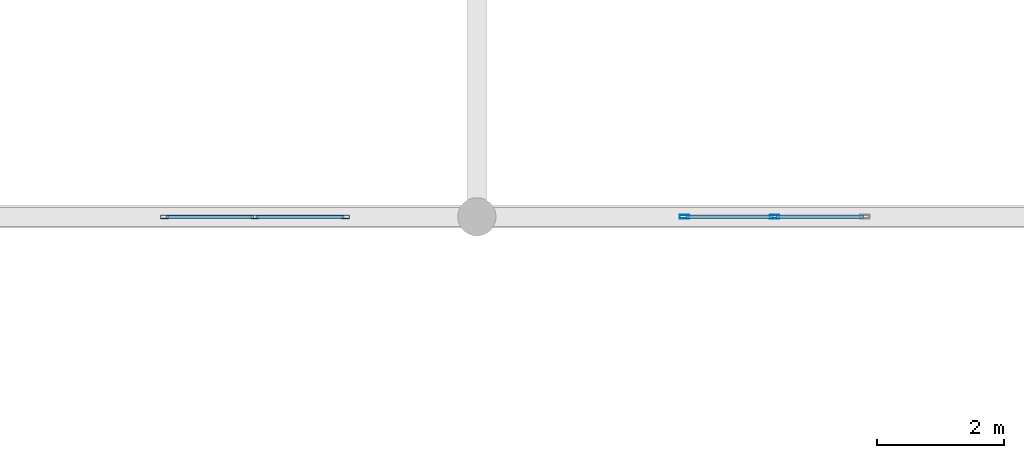
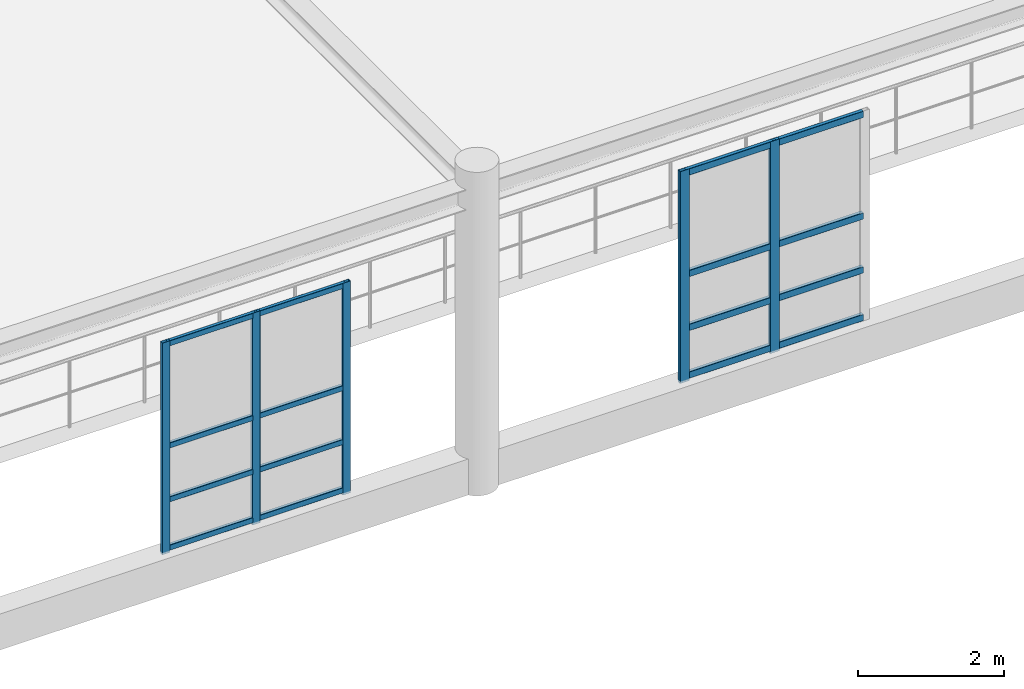
# One storey, part 74 of 197: 21 members, 2 elements without a shape of their own.
"""IFC4 building model written with IfcOpenShell, lengths in metres."""

from ifc_helpers import new_model, si_unit, derived_unit, direction, frame, origin, origin_2d, place, context, subcontext, project, spatial, hollow_rectangle, extrude, material, layer, layer_set, material_profile, profile_set, type_object, element, aggregate, save


model = new_model("IFC4")

# Units and contexts
model_context = context("Model", 3, precision=1e-05, world=origin(), true_north=direction((0.0, 1.0)))
body_context = subcontext(model_context, "Body", "Model", "MODEL_VIEW")
ifc_project = project(units=[si_unit("LENGTHUNIT", "METRE"), si_unit("AREAUNIT", "SQUARE_METRE"), si_unit("VOLUMEUNIT", "CUBIC_METRE"), si_unit("PLANEANGLEUNIT", "RADIAN"), si_unit("MASSUNIT", "GRAM", prefix="KILO"), derived_unit("THERMALTRANSMITTANCEUNIT", [(si_unit("POWERUNIT", "WATT"), 1), (si_unit("LENGTHUNIT", "METRE"), -2), (si_unit("THERMODYNAMICTEMPERATUREUNIT", "KELVIN"), -1)])], contexts=[model_context])

# Site, building, storey
site_placement = place(None, origin())
site = spatial("IfcSite", under=ifc_project, at=site_placement, CompositionType="ELEMENT")
building_placement = place(site_placement, origin())
building = spatial("IfcBuilding", under=site, at=building_placement, Name="Almenara Railside Exhibition Hall", CompositionType="ELEMENT")
storey_placement = place(building_placement, frame((0.0, 0.0, 5.39990234375)))
storey = spatial("IfcBuildingStorey", under=building, at=storey_placement, Name="L01", CompositionType="ELEMENT", Elevation=5.39990234375)

# Curtain wall, members
ifc_material_1 = material(Name="Bronze-anodised aluminium and low-E double glazing", Category="aluminium")
ifc_layer = layer(ifc_material_1, 0.179931640625, Name="Bronze-anodised aluminium and low-E double glazing")
ifc_layer_set = layer_set([ifc_layer], Name="Bronze-anodised aluminium and low-E double glazing")
curtain_wall_type = type_object("IfcCurtainWallType", Name="Courtyard East Galeria Curtain Wall 2900x3500", PredefinedType="NOTDEFINED", material=ifc_layer_set)
curtain_wall_1_placement = place(storey_placement, origin())
curtain_wall_1 = element("IfcCurtainWall", 1, at=curtain_wall_1_placement, inside=storey, type_object=curtain_wall_type, Name="Curtain wall CW-CY2-154", PredefinedType="NOTDEFINED")
ifc_material_2 = material(Name="Bronze-anodised aluminium", Category="aluminium")
ifc_material_profile_1 = material_profile(ifc_material_2, hollow_rectangle(XDim=0.054931640625, YDim=0.125, WallThickness=0.0029296875, InnerFilletRadius=0.0029296875, OuterFilletRadius=0.006103515625, at=origin_2d()), Name="ALU-MUL 55x125x3")
ifc_profile_set_1 = profile_set([ifc_material_profile_1], Name="Bronze-anodised aluminium")
member_type_1 = type_object("IfcMemberType", Name="Curtain Wall Mullion 55x125x3", PredefinedType="MULLION", material=ifc_profile_set_1)
member_1_placement = place(storey_placement, frame((99.927001953125, 90.0, 0.565185546875), z_axis=(0.0, 0.0, 1.0), x_axis=(0.0, -1.0, 0.0)))
member_1 = element("IfcMember", 2, at=member_1_placement, type_object=member_type_1, Name="CW-CY2-154 mullion 1", PredefinedType="MULLION", context=body_context, shape_type="SweptSolid", body=[
    extrude(hollow_rectangle(XDim=0.054931640625, YDim=0.125, WallThickness=0.0029296875, InnerFilletRadius=0.0029296875, OuterFilletRadius=0.006103515625, at=origin_2d()), origin(), (0.0, 0.0, 1.0), 3.534912109375),
])
member_2_placement = place(storey_placement, frame((98.50439453125, 90.0, 0.565185546875), z_axis=(0.0, 0.0, 1.0), x_axis=(0.0, -1.0, 0.0)))
member_2 = element("IfcMember", 3, at=member_2_placement, type_object=member_type_1, Name="CW-CY2-154 mullion 2", PredefinedType="MULLION", context=body_context, shape_type="SweptSolid", body=[
    extrude(hollow_rectangle(XDim=0.054931640625, YDim=0.125, WallThickness=0.0029296875, InnerFilletRadius=0.0029296875, OuterFilletRadius=0.006103515625, at=origin_2d()), origin(), (0.0, 0.0, 1.0), 3.534912109375),
])
member_3_placement = place(storey_placement, frame((97.08203125, 90.0, 0.565185546875), z_axis=(0.0, 0.0, 1.0), x_axis=(0.0, -1.0, 0.0)))
member_3 = element("IfcMember", 4, at=member_3_placement, type_object=member_type_1, Name="CW-CY2-154 mullion 3", PredefinedType="MULLION", context=body_context, shape_type="SweptSolid", body=[
    extrude(hollow_rectangle(XDim=0.054931640625, YDim=0.125, WallThickness=0.0029296875, InnerFilletRadius=0.0029296875, OuterFilletRadius=0.006103515625, at=origin_2d()), origin(), (0.0, 0.0, 1.0), 3.534912109375),
])

curtain_wall_2_placement = place(storey_placement, origin())
curtain_wall_2 = element("IfcCurtainWall", 5, at=curtain_wall_2_placement, inside=storey, type_object=curtain_wall_type, Name="Curtain wall CW-CY2-153", PredefinedType="NOTDEFINED")
ifc_material_profile_2 = material_profile(ifc_material_2, hollow_rectangle(XDim=0.06005859375, YDim=0.14990234375, WallThickness=0.00341796875, InnerFilletRadius=0.00341796875, OuterFilletRadius=0.007080078125, at=origin_2d()), Name="ALU-MUL 60x150x3.5")
ifc_profile_set_2 = profile_set([ifc_material_profile_2], Name="Bronze-anodised aluminium")
member_type_2 = type_object("IfcMemberType", Name="Curtain Wall Mullion 60x150x3.5", PredefinedType="MULLION", material=ifc_profile_set_2)
member_4_placement = place(storey_placement, frame((106.686279296875, 90.0, 0.565185546875), z_axis=(0.0, 0.0, 1.0), x_axis=(0.0, -1.0, 0.0)))
member_4 = element("IfcMember", 6, at=member_4_placement, type_object=member_type_2, Name="CW-CY2-153 mullion 2", PredefinedType="MULLION", context=body_context, shape_type="SweptSolid", body=[
    extrude(hollow_rectangle(XDim=0.06005859375, YDim=0.14990234375, WallThickness=0.00341796875, InnerFilletRadius=0.00341796875, OuterFilletRadius=0.007080078125, at=origin_2d()), origin(), (0.0, 0.0, 1.0), 3.534912109375),
])
member_5_placement = place(storey_placement, frame((105.266357421875, 90.0, 0.565185546875), z_axis=(0.0, 0.0, 1.0), x_axis=(0.0, -1.0, 0.0)))
member_5 = element("IfcMember", 7, at=member_5_placement, type_object=member_type_2, Name="CW-CY2-153 mullion 3", PredefinedType="MULLION", context=body_context, shape_type="SweptSolid", body=[
    extrude(hollow_rectangle(XDim=0.06005859375, YDim=0.14990234375, WallThickness=0.00341796875, InnerFilletRadius=0.00341796875, OuterFilletRadius=0.007080078125, at=origin_2d()), origin(), (0.0, 0.0, 1.0), 3.534912109375),
])

# Member
ifc_material_profile_3 = material_profile(ifc_material_2, hollow_rectangle(XDim=0.054931640625, YDim=0.090087890625, WallThickness=0.0029296875, InnerFilletRadius=0.0029296875, OuterFilletRadius=0.006103515625, at=origin_2d()), Name="ALU-TRN 55x90x3")
ifc_profile_set_3 = profile_set([ifc_material_profile_3], Name="Bronze-anodised aluminium")
member_type_3 = type_object("IfcMemberType", Name="Curtain Wall Transom 55x90x3", PredefinedType="USERDEFINED", material=ifc_profile_set_3)
member_6_placement = place(storey_placement, frame((99.907470703125, 90.0, 0.64501953125), z_axis=(-1.0, 0.0, 0.0), x_axis=(0.0, -1.0, 0.0)))
member_6 = element("IfcMember", 8, at=member_6_placement, type_object=member_type_3, Name="CW-CY2-154 transom 1.1", ObjectType="TRANSOM", PredefinedType="USERDEFINED", context=body_context, shape_type="SweptSolid", body=[
    extrude(hollow_rectangle(XDim=0.054931640625, YDim=0.090087890625, WallThickness=0.0029296875, InnerFilletRadius=0.0029296875, OuterFilletRadius=0.006103515625, at=origin_2d()), origin(), (0.0, 0.0, 1.0), 1.383544921875),
])

member_7_placement = place(storey_placement, frame((99.907470703125, 90.0, 1.4501953125), z_axis=(-1.0, 0.0, 0.0), x_axis=(0.0, -1.0, 0.0)))
member_7 = element("IfcMember", 9, at=member_7_placement, type_object=member_type_3, Name="CW-CY2-154 transom 1.2", ObjectType="TRANSOM", PredefinedType="USERDEFINED", context=body_context, shape_type="SweptSolid", body=[
    extrude(hollow_rectangle(XDim=0.054931640625, YDim=0.090087890625, WallThickness=0.0029296875, InnerFilletRadius=0.0029296875, OuterFilletRadius=0.006103515625, at=origin_2d()), origin(), (0.0, 0.0, 1.0), 1.383544921875),
])

member_8_placement = place(storey_placement, frame((99.907470703125, 90.0, 2.35009765625), z_axis=(-1.0, 0.0, 0.0), x_axis=(0.0, -1.0, 0.0)))
member_8 = element("IfcMember", 10, at=member_8_placement, type_object=member_type_3, Name="CW-CY2-154 transom 1.3", ObjectType="TRANSOM", PredefinedType="USERDEFINED", context=body_context, shape_type="SweptSolid", body=[
    extrude(hollow_rectangle(XDim=0.054931640625, YDim=0.090087890625, WallThickness=0.0029296875, InnerFilletRadius=0.0029296875, OuterFilletRadius=0.006103515625, at=origin_2d()), origin(), (0.0, 0.0, 1.0), 1.383544921875),
])

member_9_placement = place(storey_placement, frame((99.907470703125, 90.0, 4.05517578125), z_axis=(-1.0, 0.0, 0.0), x_axis=(0.0, -1.0, 0.0)))
member_9 = element("IfcMember", 11, at=member_9_placement, type_object=member_type_3, Name="CW-CY2-154 transom 1.4", ObjectType="TRANSOM", PredefinedType="USERDEFINED", context=body_context, shape_type="SweptSolid", body=[
    extrude(hollow_rectangle(XDim=0.054931640625, YDim=0.090087890625, WallThickness=0.0029296875, InnerFilletRadius=0.0029296875, OuterFilletRadius=0.006103515625, at=origin_2d()), origin(), (0.0, 0.0, 1.0), 1.383544921875),
])

member_10_placement = place(storey_placement, frame((98.485107421875, 90.0, 0.64501953125), z_axis=(-1.0, 0.0, 0.0), x_axis=(0.0, -1.0, 0.0)))
member_10 = element("IfcMember", 12, at=member_10_placement, type_object=member_type_3, Name="CW-CY2-154 transom 2.1", ObjectType="TRANSOM", PredefinedType="USERDEFINED", context=body_context, shape_type="SweptSolid", body=[
    extrude(hollow_rectangle(XDim=0.054931640625, YDim=0.090087890625, WallThickness=0.0029296875, InnerFilletRadius=0.0029296875, OuterFilletRadius=0.006103515625, at=origin_2d()), origin(), (0.0, 0.0, 1.0), 1.383544921875),
])

member_11_placement = place(storey_placement, frame((98.485107421875, 90.0, 1.4501953125), z_axis=(-1.0, 0.0, 0.0), x_axis=(0.0, -1.0, 0.0)))
member_11 = element("IfcMember", 13, at=member_11_placement, type_object=member_type_3, Name="CW-CY2-154 transom 2.2", ObjectType="TRANSOM", PredefinedType="USERDEFINED", context=body_context, shape_type="SweptSolid", body=[
    extrude(hollow_rectangle(XDim=0.054931640625, YDim=0.090087890625, WallThickness=0.0029296875, InnerFilletRadius=0.0029296875, OuterFilletRadius=0.006103515625, at=origin_2d()), origin(), (0.0, 0.0, 1.0), 1.383544921875),
])

member_12_placement = place(storey_placement, frame((98.485107421875, 90.0, 2.35009765625), z_axis=(-1.0, 0.0, 0.0), x_axis=(0.0, -1.0, 0.0)))
member_12 = element("IfcMember", 14, at=member_12_placement, type_object=member_type_3, Name="CW-CY2-154 transom 2.3", ObjectType="TRANSOM", PredefinedType="USERDEFINED", context=body_context, shape_type="SweptSolid", body=[
    extrude(hollow_rectangle(XDim=0.054931640625, YDim=0.090087890625, WallThickness=0.0029296875, InnerFilletRadius=0.0029296875, OuterFilletRadius=0.006103515625, at=origin_2d()), origin(), (0.0, 0.0, 1.0), 1.383544921875),
])

member_13_placement = place(storey_placement, frame((98.485107421875, 90.0, 4.05517578125), z_axis=(-1.0, 0.0, 0.0), x_axis=(0.0, -1.0, 0.0)))
member_13 = element("IfcMember", 15, at=member_13_placement, type_object=member_type_3, Name="CW-CY2-154 transom 2.4", ObjectType="TRANSOM", PredefinedType="USERDEFINED", context=body_context, shape_type="SweptSolid", body=[
    extrude(hollow_rectangle(XDim=0.054931640625, YDim=0.090087890625, WallThickness=0.0029296875, InnerFilletRadius=0.0029296875, OuterFilletRadius=0.006103515625, at=origin_2d()), origin(), (0.0, 0.0, 1.0), 1.383544921875),
])

aggregate(curtain_wall_1, [member_1, member_2, member_3, member_6, member_7, member_8, member_9, member_10, member_11, member_12, member_13])

ifc_material_profile_4 = material_profile(ifc_material_2, hollow_rectangle(XDim=0.06005859375, YDim=0.110107421875, WallThickness=0.0029296875, InnerFilletRadius=0.0029296875, OuterFilletRadius=0.006103515625, at=origin_2d()), Name="ALU-TRN 60x110x3")
ifc_profile_set_4 = profile_set([ifc_material_profile_4], Name="Bronze-anodised aluminium")
member_type_4 = type_object("IfcMemberType", Name="Curtain Wall Transom 60x110x3", PredefinedType="USERDEFINED", material=ifc_profile_set_4)
member_14_placement = place(storey_placement, frame((108.08447265625, 90.0, 0.655029296875), z_axis=(-1.0, 0.0, 0.0), x_axis=(0.0, -1.0, 0.0)))
member_14 = element("IfcMember", 16, at=member_14_placement, type_object=member_type_4, Name="CW-CY2-153 transom 1.1", ObjectType="TRANSOM", PredefinedType="USERDEFINED", context=body_context, shape_type="SweptSolid", body=[
    extrude(hollow_rectangle(XDim=0.06005859375, YDim=0.110107421875, WallThickness=0.0029296875, InnerFilletRadius=0.0029296875, OuterFilletRadius=0.006103515625, at=origin_2d()), origin(), (0.0, 0.0, 1.0), 1.3759765625),
])

member_15_placement = place(storey_placement, frame((108.08447265625, 90.0, 1.4501953125), z_axis=(-1.0, 0.0, 0.0), x_axis=(0.0, -1.0, 0.0)))
member_15 = element("IfcMember", 17, at=member_15_placement, type_object=member_type_4, Name="CW-CY2-153 transom 1.2", ObjectType="TRANSOM", PredefinedType="USERDEFINED", context=body_context, shape_type="SweptSolid", body=[
    extrude(hollow_rectangle(XDim=0.06005859375, YDim=0.110107421875, WallThickness=0.0029296875, InnerFilletRadius=0.0029296875, OuterFilletRadius=0.006103515625, at=origin_2d()), origin(), (0.0, 0.0, 1.0), 1.3759765625),
])

member_16_placement = place(storey_placement, frame((108.08447265625, 90.0, 2.35009765625), z_axis=(-1.0, 0.0, 0.0), x_axis=(0.0, -1.0, 0.0)))
member_16 = element("IfcMember", 18, at=member_16_placement, type_object=member_type_4, Name="CW-CY2-153 transom 1.3", ObjectType="TRANSOM", PredefinedType="USERDEFINED", context=body_context, shape_type="SweptSolid", body=[
    extrude(hollow_rectangle(XDim=0.06005859375, YDim=0.110107421875, WallThickness=0.0029296875, InnerFilletRadius=0.0029296875, OuterFilletRadius=0.006103515625, at=origin_2d()), origin(), (0.0, 0.0, 1.0), 1.3759765625),
])

member_17_placement = place(storey_placement, frame((108.08447265625, 90.0, 4.045166015625), z_axis=(-1.0, 0.0, 0.0), x_axis=(0.0, -1.0, 0.0)))
member_17 = element("IfcMember", 19, at=member_17_placement, type_object=member_type_4, Name="CW-CY2-153 transom 1.4", ObjectType="TRANSOM", PredefinedType="USERDEFINED", context=body_context, shape_type="SweptSolid", body=[
    extrude(hollow_rectangle(XDim=0.06005859375, YDim=0.110107421875, WallThickness=0.0029296875, InnerFilletRadius=0.0029296875, OuterFilletRadius=0.006103515625, at=origin_2d()), origin(), (0.0, 0.0, 1.0), 1.3759765625),
])

member_18_placement = place(storey_placement, frame((106.664306640625, 90.0, 0.655029296875), z_axis=(-1.0, 0.0, 0.0), x_axis=(0.0, -1.0, 0.0)))
member_18 = element("IfcMember", 20, at=member_18_placement, type_object=member_type_4, Name="CW-CY2-153 transom 2.1", ObjectType="TRANSOM", PredefinedType="USERDEFINED", context=body_context, shape_type="SweptSolid", body=[
    extrude(hollow_rectangle(XDim=0.06005859375, YDim=0.110107421875, WallThickness=0.0029296875, InnerFilletRadius=0.0029296875, OuterFilletRadius=0.006103515625, at=origin_2d()), origin(), (0.0, 0.0, 1.0), 1.3759765625),
])

member_19_placement = place(storey_placement, frame((106.664306640625, 90.0, 1.4501953125), z_axis=(-1.0, 0.0, 0.0), x_axis=(0.0, -1.0, 0.0)))
member_19 = element("IfcMember", 21, at=member_19_placement, type_object=member_type_4, Name="CW-CY2-153 transom 2.2", ObjectType="TRANSOM", PredefinedType="USERDEFINED", context=body_context, shape_type="SweptSolid", body=[
    extrude(hollow_rectangle(XDim=0.06005859375, YDim=0.110107421875, WallThickness=0.0029296875, InnerFilletRadius=0.0029296875, OuterFilletRadius=0.006103515625, at=origin_2d()), origin(), (0.0, 0.0, 1.0), 1.3759765625),
])

member_20_placement = place(storey_placement, frame((106.664306640625, 90.0, 2.35009765625), z_axis=(-1.0, 0.0, 0.0), x_axis=(0.0, -1.0, 0.0)))
member_20 = element("IfcMember", 22, at=member_20_placement, type_object=member_type_4, Name="CW-CY2-153 transom 2.3", ObjectType="TRANSOM", PredefinedType="USERDEFINED", context=body_context, shape_type="SweptSolid", body=[
    extrude(hollow_rectangle(XDim=0.06005859375, YDim=0.110107421875, WallThickness=0.0029296875, InnerFilletRadius=0.0029296875, OuterFilletRadius=0.006103515625, at=origin_2d()), origin(), (0.0, 0.0, 1.0), 1.3759765625),
])

member_21_placement = place(storey_placement, frame((106.664306640625, 90.0, 4.045166015625), z_axis=(-1.0, 0.0, 0.0), x_axis=(0.0, -1.0, 0.0)))
member_21 = element("IfcMember", 23, at=member_21_placement, type_object=member_type_4, Name="CW-CY2-153 transom 2.4", ObjectType="TRANSOM", PredefinedType="USERDEFINED", context=body_context, shape_type="SweptSolid", body=[
    extrude(hollow_rectangle(XDim=0.06005859375, YDim=0.110107421875, WallThickness=0.0029296875, InnerFilletRadius=0.0029296875, OuterFilletRadius=0.006103515625, at=origin_2d()), origin(), (0.0, 0.0, 1.0), 1.3759765625),
])

aggregate(curtain_wall_2, [member_4, member_5, member_14, member_15, member_16, member_17, member_18, member_19, member_20, member_21])

save(model, "model.ifc")
